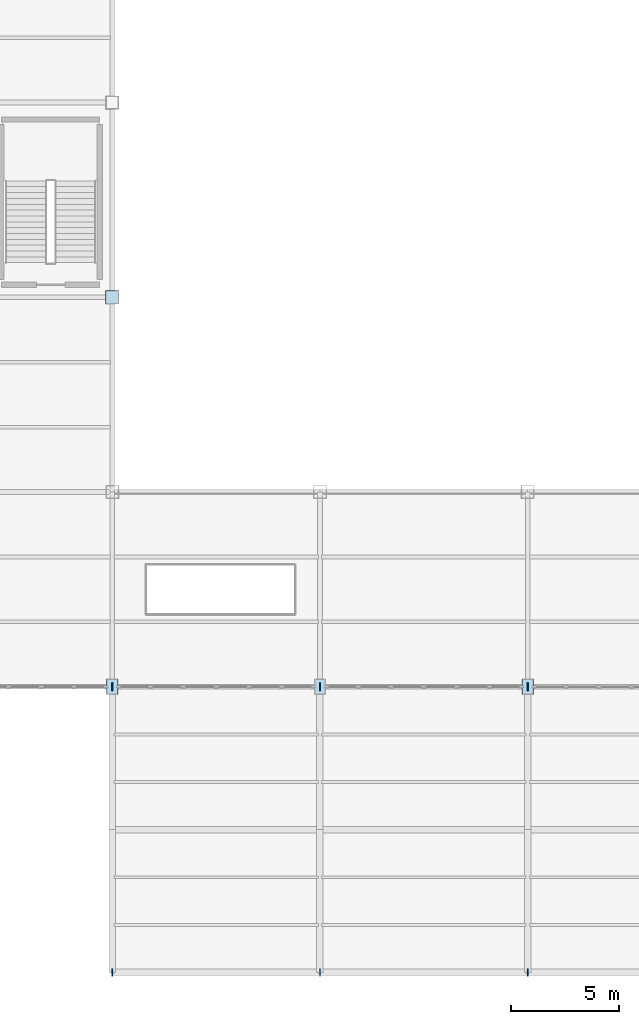
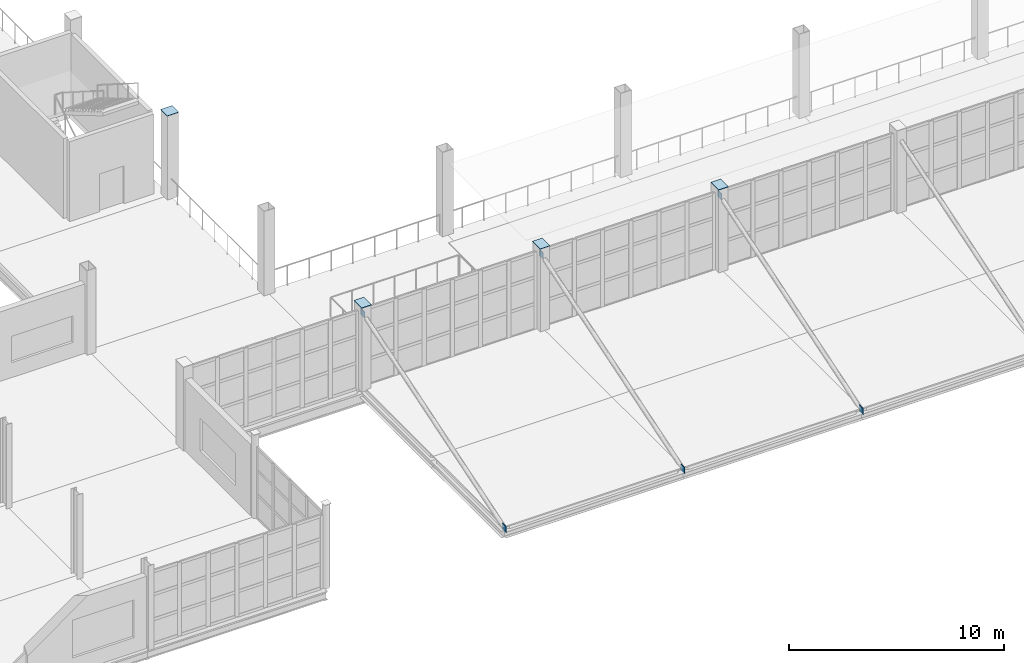
# One storey, part 98 of 120: 10 plates.
"""IFC4 building model written with IfcOpenShell, lengths in metres."""

from ifc_helpers import new_model, si_unit, direction, frame, origin, origin_2d, place, context, subcontext, project, spatial, rectangle, extrude, material, layer, layer_set, type_object, element, save


model = new_model("IFC4")

# Units and contexts
model_context = context("Model", 3, precision=1e-05, world=origin(), true_north=direction((0.0, 1.0)))
body_context = subcontext(model_context, "Body", "Model", "MODEL_VIEW")
ifc_project = project(units=[si_unit("LENGTHUNIT", "METRE"), si_unit("AREAUNIT", "SQUARE_METRE"), si_unit("VOLUMEUNIT", "CUBIC_METRE"), si_unit("PLANEANGLEUNIT", "RADIAN"), si_unit("MASSUNIT", "GRAM", prefix="KILO")], contexts=[model_context])

# Site, building, storey
site_placement = place(None, origin())
site = spatial("IfcSite", under=ifc_project, at=site_placement, CompositionType="ELEMENT")
building_placement = place(site_placement, origin())
building = spatial("IfcBuilding", under=site, at=building_placement, Name="Zarnetskaya Central Station", CompositionType="ELEMENT")
storey_placement = place(building_placement, frame((0.0, 0.0, 5.39990234375)))
storey = spatial("IfcBuildingStorey", under=building, at=storey_placement, Name="L01", CompositionType="ELEMENT", Elevation=5.39990234375)

# Plates
ifc_material = material(Name="Steel S355", Category="steel")
ifc_layer_1 = layer(ifc_material, 0.028076171875, Name="Steel S355", Category="steel")
ifc_layer_set_1 = layer_set([ifc_layer_1], Name="Steel S355")
plate_type_1 = type_object("IfcPlateType", Name="ND-GUSSET-EXT-28", PredefinedType="USERDEFINED", material=ifc_layer_set_1)
for number, where, z_axis, x_axis, name in (
    (1, (67.199951171875, 13.199951171875, 4.02001953125), (0.0, 0.0, 1.0), (1.0, 0.0, 0.0), "Forecourt canopy tie upper clevis plate H"),
    (2, (67.199951171875, 0.0, -0.19189453125), (0.0, 0.0, 1.0), (1.0, 0.0, 0.0), "Forecourt canopy tie lower clevis plate H"),
    (3, (76.800048828125, 13.199951171875, 4.02001953125), (0.0, 0.0, 1.0), (1.0, 0.0, 0.0), "Forecourt canopy tie upper clevis plate J"),
    (4, (76.800048828125, 0.0, -0.19189453125), (0.0, 0.0, 1.0), (1.0, 0.0, 0.0), "Forecourt canopy tie lower clevis plate J"),
    (5, (86.39990234375, 13.199951171875, 4.02001953125), (0.0, 0.0, 1.0), (1.0, 0.0, 0.0), "Forecourt canopy tie upper clevis plate K"),
    (6, (86.39990234375, 0.0, -0.19189453125), (0.0, 0.0, 1.0), (1.0, 0.0, 0.0), "Forecourt canopy tie lower clevis plate K"),
):
    element("IfcPlate", number, at=place(storey_placement, frame(where, z_axis=z_axis, x_axis=x_axis)), inside=storey, type_object=plate_type_1, Name=name, ObjectType="GUSSET PLATE", PredefinedType="USERDEFINED", context=body_context, shape_type="SweptSolid", body=[
        extrude(rectangle(XDim=0.028076171875, YDim=0.360107421875, at=origin_2d()), origin(), (0.0, 0.0, 1.0), 0.360107421875),
    ])
ifc_layer_2 = layer(ifc_material, 0.02392578125, Name="Steel S355", Category="steel")
ifc_layer_set_2 = layer_set([ifc_layer_2], Name="Steel S355")
plate_type_2 = type_object("IfcPlateType", Name="PL-COL-CAP-EXT", PredefinedType="USERDEFINED", material=ifc_layer_set_2)
for number, where, z_axis, x_axis, name in (
    (7, (67.199951171875, 13.199951171875, 4.776123046875), (0.0, 0.0, 1.0), (1.0, 0.0, 0.0), "Hollow column sealed end-cap plate 48"),
    (8, (76.800048828125, 13.199951171875, 4.776123046875), (0.0, 0.0, 1.0), (1.0, 0.0, 0.0), "Hollow column sealed end-cap plate 60"),
    (9, (86.39990234375, 13.199951171875, 4.776123046875), (0.0, 0.0, 1.0), (1.0, 0.0, 0.0), "Hollow column sealed end-cap plate 69"),
):
    element("IfcPlate", number, at=place(storey_placement, frame(where, z_axis=z_axis, x_axis=x_axis)), inside=storey, type_object=plate_type_2, Name=name, ObjectType="END CAP PLATE", PredefinedType="USERDEFINED", context=body_context, shape_type="SweptSolid", body=[
        extrude(rectangle(XDim=0.52001953125, YDim=0.719970703125, at=origin_2d()), origin(), (0.0, 0.0, 1.0), 0.02392578125),
    ])
ifc_layer_3 = layer(ifc_material, 0.02392578125, Name="Steel S355", Category="steel")
ifc_layer_set_3 = layer_set([ifc_layer_3], Name="Steel S355")
plate_type_3 = type_object("IfcPlateType", Name="PL-COL-CAP-INT", PredefinedType="USERDEFINED", material=ifc_layer_set_3)
plate_placement = place(storey_placement, frame((67.199951171875, 31.199951171875, 4.776123046875), z_axis=(0.0, 0.0, 1.0), x_axis=(1.0, 0.0, 0.0)))
element("IfcPlate", 10, at=plate_placement, inside=storey, type_object=plate_type_3, Name="Hollow column sealed end-cap plate 50", ObjectType="END CAP PLATE", PredefinedType="USERDEFINED", context=body_context, shape_type="SweptSolid", body=[
    extrude(rectangle(XDim=0.6201171875, YDim=0.6201171875, at=origin_2d()), origin(), (0.0, 0.0, 1.0), 0.02392578125),
])

save(model, "model.ifc")
